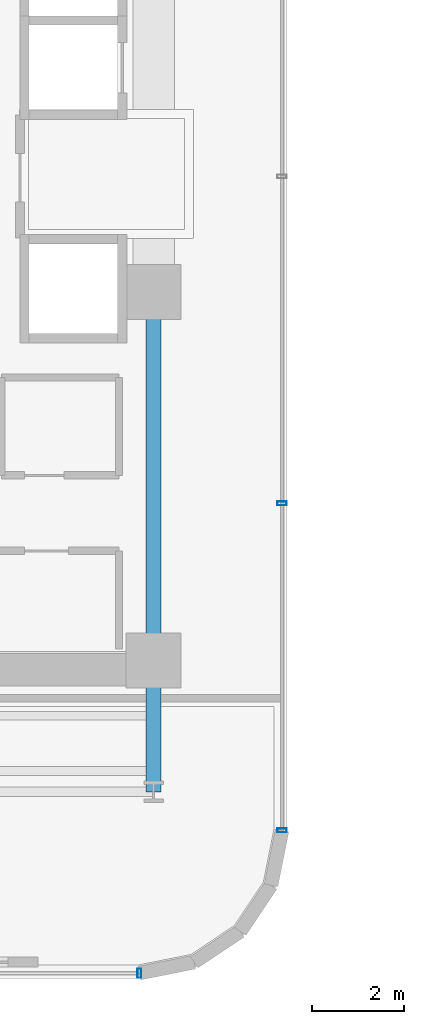
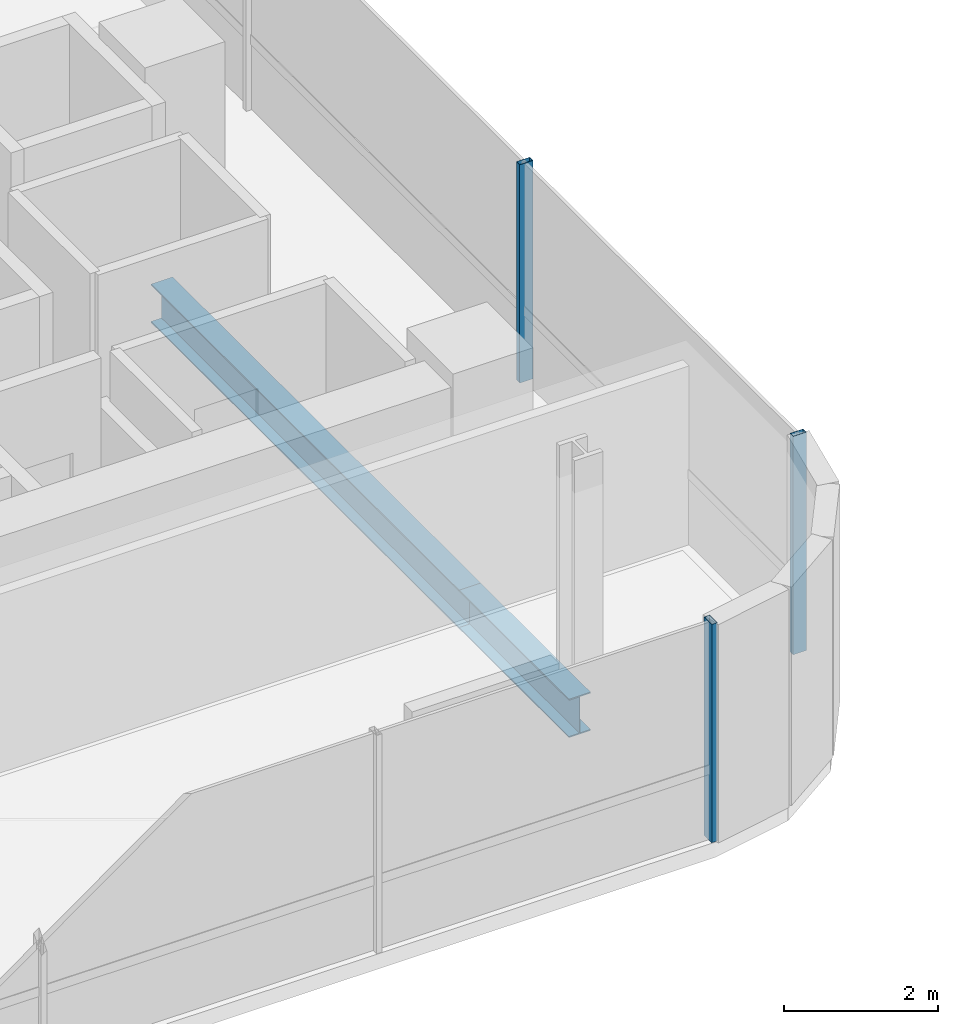
# One storey, part 5 of 37: 3 members, 2 beams, 2 elements without a shape of their own.
"""IFC4 building model written with IfcOpenShell, lengths in metres."""

from ifc_helpers import new_model, si_unit, direction, frame, origin, origin_2d, place, context, subcontext, project, spatial, hollow_rectangle, i_section, extrude, source, transform, mapped, material, material_profile, profile_set, type_object, element, aggregate, save


model = new_model("IFC4")

# Units and contexts
model_context = context("Model", 3, precision=1e-05, world=origin(), true_north=direction((0.0, 1.0)))
body_context = subcontext(model_context, "Body", "Model", "MODEL_VIEW")
ifc_project = project(units=[si_unit("LENGTHUNIT", "METRE"), si_unit("AREAUNIT", "SQUARE_METRE"), si_unit("VOLUMEUNIT", "CUBIC_METRE"), si_unit("PLANEANGLEUNIT", "RADIAN"), si_unit("MASSUNIT", "GRAM", prefix="KILO")], contexts=[model_context])

# Site, building, storey
site_placement = place(None, origin())
site = spatial("IfcSite", under=ifc_project, at=site_placement, CompositionType="ELEMENT")
building_placement = place(site_placement, origin())
building = spatial("IfcBuilding", under=site, at=building_placement, Name="Valdorenza Pilgrim Sanctuary Tower", CompositionType="ELEMENT")
storey_placement = place(building_placement, frame((0.0, 0.0, 127.89990234375)))
storey = spatial("IfcBuildingStorey", under=building, at=storey_placement, Name="L32", CompositionType="ELEMENT", Elevation=127.89990234375)

# Beams
ifc_material_1 = material(Name="Steel ASTM A992 Grade 50", Category="steel")
ifc_material_profile_1 = material_profile(ifc_material_1, i_section(OverallWidth=0.323974609375, OverallDepth=0.611083984375, WebThickness=0.0126953125, FlangeThickness=0.01904296875, at=origin_2d()), Name="W24X104")
ifc_profile_set_1 = profile_set([ifc_material_profile_1], Name="Steel ASTM A992 Grade 50")
beam_type = type_object("IfcBeamType", Name="STR-BM-GRD-W24B", PredefinedType="BEAM", material=ifc_profile_set_1)
shared_shape_1 = source(origin(), body_context, "Body", "SweptSolid", [
    extrude(i_section(OverallWidth=0.323974609375, OverallDepth=0.611083984375, WebThickness=0.0126953125, FlangeThickness=0.01904296875, at=origin_2d()), origin(), (0.0, 0.0, 1.0), 8.0),
])
beam_1_placement = place(storey_placement, frame((-12.39990234375, -10.60009765625, -0.54541015625), z_axis=(0.0, 1.0, 0.0), x_axis=(-1.0, 0.0, 0.0)))
element("IfcBeam", 1, at=beam_1_placement, inside=storey, type_object=beam_type, Name="L32 Core Tie Girder CA-E-S1M0", PredefinedType="BEAM", context=body_context, shape_type="MappedRepresentation", body=[
    mapped(shared_shape_1, transform((0.0, 0.0, 0.0), x_axis=(1.0, 0.0, 0.0), y_axis=(0.0, 1.0, 0.0), z_axis=(0.0, 0.0, 1.0), scale=1.0)),
])
shared_shape_2 = source(origin(), body_context, "Body", "SweptSolid", [
    extrude(i_section(OverallWidth=0.323974609375, OverallDepth=0.611083984375, WebThickness=0.0126953125, FlangeThickness=0.01904296875, at=origin_2d()), origin(), (0.0, 0.0, 1.0), 2.849853515625),
])
beam_2_placement = place(storey_placement, frame((-12.39990234375, -13.449951171875, -0.54541015625), z_axis=(0.0, 1.0, 0.0), x_axis=(-1.0, 0.0, 0.0)))
element("IfcBeam", 2, at=beam_2_placement, inside=storey, type_object=beam_type, Name="L32 Floor Girder WA-S-LE", PredefinedType="BEAM", context=body_context, shape_type="MappedRepresentation", body=[
    mapped(shared_shape_2, transform((0.0, 0.0, 0.0), x_axis=(1.0, 0.0, 0.0), y_axis=(0.0, 1.0, 0.0), z_axis=(0.0, 0.0, 1.0), scale=1.0)),
])

# Curtain wall, members
ifc_material_2 = material(Name="Curtain-wall IGU glazing", Category="glass")
curtain_wall_type = type_object("IfcCurtainWallType", Name="CW-SYS-02", PredefinedType="NOTDEFINED", material=ifc_material_2)
curtain_wall_1_placement = place(storey_placement, origin())
curtain_wall_1 = element("IfcCurtainWall", 3, at=curtain_wall_1_placement, inside=storey, type_object=curtain_wall_type, Name="L32 Curtain Wall CW-L32-1-41", PredefinedType="NOTDEFINED")
ifc_material_3 = material(Name="Anodised aluminium AW-6060", Category="aluminium")
ifc_material_profile_2 = material_profile(ifc_material_3, hollow_rectangle(XDim=0.0849609375, YDim=0.199951171875, WallThickness=0.0048828125, at=origin_2d()), Name="ALU-M 200x85x5")
ifc_profile_set_2 = profile_set([ifc_material_profile_2], Name="Anodised aluminium AW-6060")
member_type = type_object("IfcMemberType", Name="CW-MUL-02", PredefinedType="MULLION", material=ifc_profile_set_2)
shared_shape_3 = source(origin(), body_context, "Body", "SweptSolid", [
    extrude(hollow_rectangle(XDim=0.0849609375, YDim=0.199951171875, WallThickness=0.0048828125, at=origin_2d()), origin(), (0.0, 0.0, 1.0), 3.460205078125),
])
member_1_placement = place(storey_placement, frame((-9.610107421875, -7.189208984375, 0.0), z_axis=(0.0, 0.0, 1.0), x_axis=(0.0, -1.0, 0.0)))
member_1 = element("IfcMember", 4, at=member_1_placement, type_object=member_type, Name="CW-L32-1-41 Mullion 3", PredefinedType="MULLION", context=body_context, shape_type="MappedRepresentation", body=[
    mapped(shared_shape_3, transform((0.0, 0.0, 0.0), x_axis=(1.0, 0.0, 0.0), y_axis=(0.0, 1.0, 0.0), z_axis=(0.0, 0.0, 1.0), scale=1.0)),
])
member_2_placement = place(storey_placement, frame((-9.610107421875, -14.289306640625, 0.0), z_axis=(0.0, 0.0, 1.0), x_axis=(0.0, -1.0, 0.0)))
member_2 = element("IfcMember", 5, at=member_2_placement, type_object=member_type, Name="CW-L32-1-41 Mullion 4", PredefinedType="MULLION", context=body_context, shape_type="MappedRepresentation", body=[
    mapped(shared_shape_3, transform((0.0, 0.0, 0.0), x_axis=(1.0, 0.0, 0.0), y_axis=(0.0, 1.0, 0.0), z_axis=(0.0, 0.0, 1.0), scale=1.0)),
])
aggregate(curtain_wall_1, [member_1, member_2])

# Curtain wall, member
curtain_wall_2_placement = place(storey_placement, origin())
curtain_wall_2 = element("IfcCurtainWall", 6, at=curtain_wall_2_placement, inside=storey, type_object=curtain_wall_type, Name="L32 Curtain Wall CW-L32-1-46", PredefinedType="NOTDEFINED")
member_3_placement = place(storey_placement, frame((-12.710693359375, -17.389892578125, 0.0), z_axis=(0.0, 0.0, 1.0), x_axis=(-1.0, 0.0, 0.0)))
member_3 = element("IfcMember", 7, at=member_3_placement, type_object=member_type, Name="CW-L32-1-46 Mullion 1", PredefinedType="MULLION", context=body_context, shape_type="MappedRepresentation", body=[
    mapped(shared_shape_3, transform((0.0, 0.0, 0.0), x_axis=(1.0, 0.0, 0.0), y_axis=(0.0, 1.0, 0.0), z_axis=(0.0, 0.0, 1.0), scale=1.0)),
])
aggregate(curtain_wall_2, [member_3])

save(model, "model.ifc")
